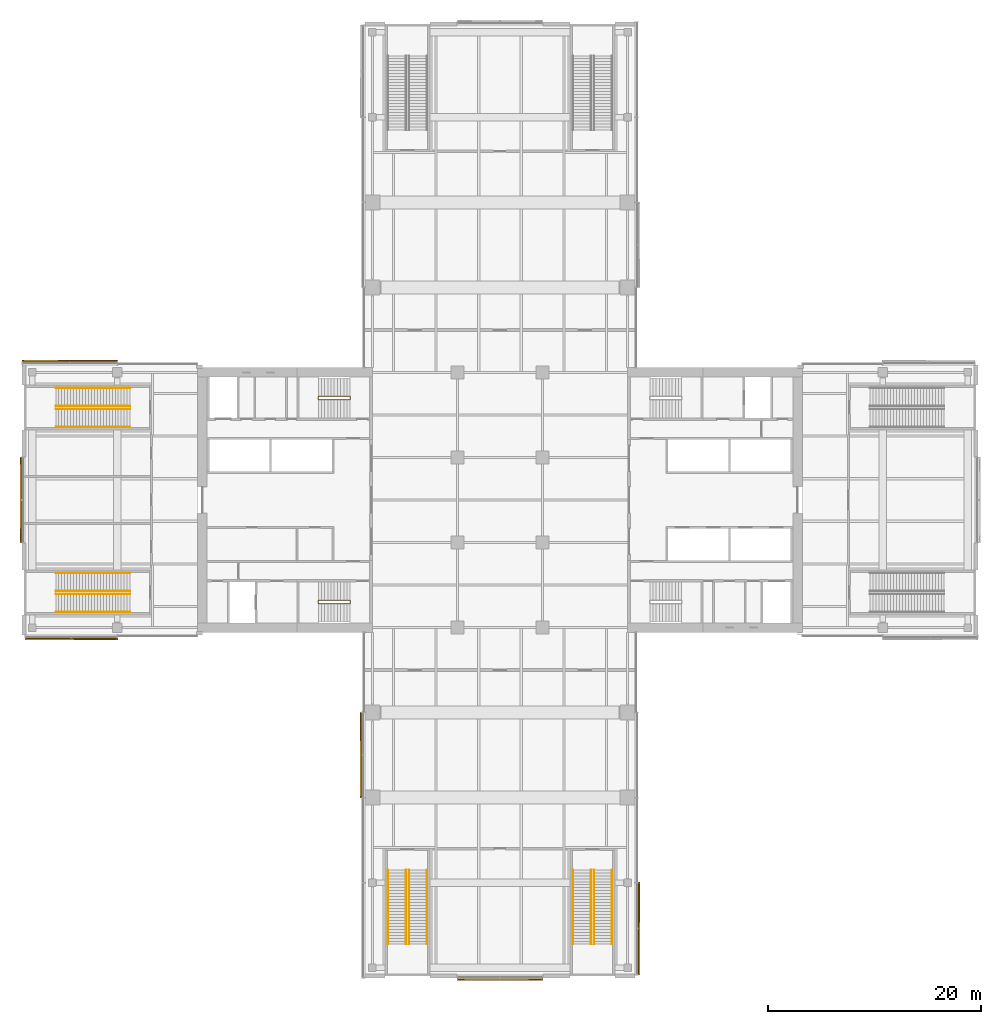
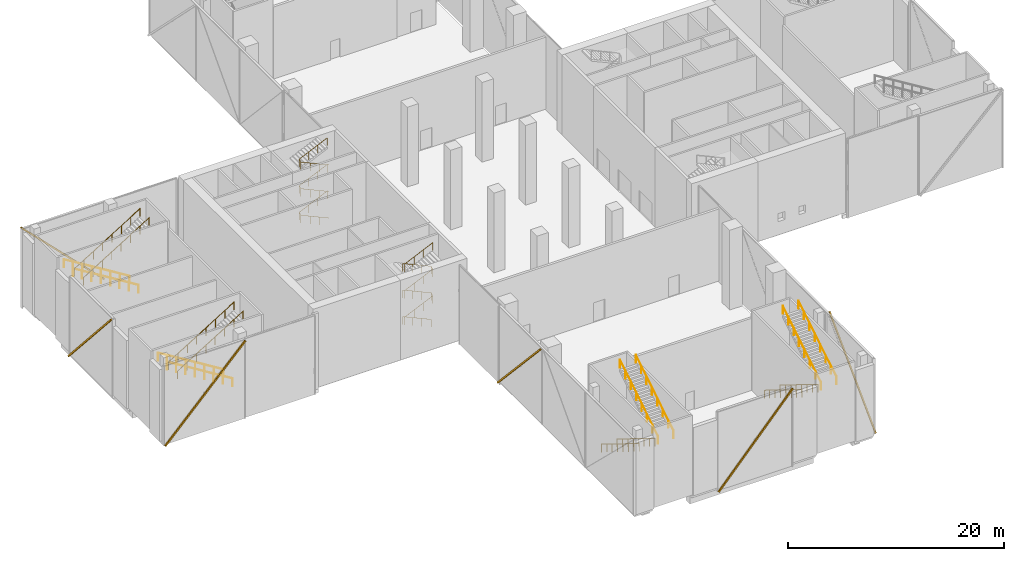
# One storey, part 25 of 26: 18 railings, 6 shading devices, 6 elements without a shape of their own.
"""IFC4 building model written with IfcOpenShell, lengths in metres."""

from ifc_helpers import new_model, si_unit, direction, frame, origin, origin_2d, place, context, subcontext, project, spatial, rectangle, circle, extrude, material, material_profile, profile_set, type_object, element, aggregate, save


model = new_model("IFC4")

# Units and contexts
model_context = context("Model", 3, precision=1e-05, world=origin(), true_north=direction((0.0, 1.0)))
body_context = subcontext(model_context, "Body", "Model", "MODEL_VIEW")
ifc_project = project(units=[si_unit("LENGTHUNIT", "METRE"), si_unit("AREAUNIT", "SQUARE_METRE"), si_unit("VOLUMEUNIT", "CUBIC_METRE"), si_unit("PLANEANGLEUNIT", "RADIAN"), si_unit("MASSUNIT", "GRAM", prefix="KILO")], contexts=[model_context])

# Site, building, storey
site_placement = place(None, origin())
site = spatial("IfcSite", under=ifc_project, at=site_placement, CompositionType="ELEMENT")
building_placement = place(site_placement, origin())
building = spatial("IfcBuilding", under=site, at=building_placement, Name="Crosswind Convention Tower", CompositionType="ELEMENT")
storey_placement = place(building_placement, frame((0.0, 0.0, 25.0)))
storey = spatial("IfcBuildingStorey", under=building, at=storey_placement, Name="L03", CompositionType="ELEMENT", Elevation=25.0)

# Railings
ifc_material_1 = material(Name="Stainless steel", Category="steel")
railing_type_1 = type_object("IfcRailingType", Name="STAIR HANDRAIL 900", PredefinedType="HANDRAIL", material=ifc_material_1)
for number, where, name in (
    (1, (114.4599609375, 65.199951171875, 0.173095703125), "Handrail S1 L03 1"),
    (2, (116.139892578125, 65.199951171875, 0.173095703125), "Handrail S1 L03 2"),
):
    element("IfcRailing", number, at=place(storey_placement, frame(where)), inside=storey, type_object=railing_type_1, Name=name, PredefinedType="HANDRAIL", context=body_context, shape_type="SweptSolid", body=[
        extrude(circle(Radius=0.02392578125, at=origin_2d()), frame((0.0, 0.0, 0.8759765625), z_axis=(0.0, -0.850614592968, 0.525789705328), x_axis=(1.0, 0.0, 0.0)), (0.0, 0.0, 1.0), 8.229248046875),
        extrude(circle(Radius=0.02099609375, at=origin_2d()), origin(), (0.0, 0.0, 1.0), 0.851806640625),
        extrude(circle(Radius=0.02099609375, at=origin_2d()), frame((0.0, -1.0, 0.6181640625)), (0.0, 0.0, 1.0), 0.851806640625),
        extrude(circle(Radius=0.02099609375, at=origin_2d()), frame((0.0, -2.0, 1.236328125)), (0.0, 0.0, 1.0), 0.851806640625),
        extrude(circle(Radius=0.02099609375, at=origin_2d()), frame((0.0, -3.0, 1.8544921875)), (0.0, 0.0, 1.0), 0.851806640625),
        extrude(circle(Radius=0.02099609375, at=origin_2d()), frame((0.0, -4.0, 2.472412109375)), (0.0, 0.0, 1.0), 0.851806640625),
        extrude(circle(Radius=0.02099609375, at=origin_2d()), frame((0.0, -5.0, 3.090576171875)), (0.0, 0.0, 1.0), 0.851806640625),
        extrude(circle(Radius=0.02099609375, at=origin_2d()), frame((0.0, -6.0, 3.708740234375)), (0.0, 0.0, 1.0), 0.851806640625),
        extrude(circle(Radius=0.02099609375, at=origin_2d()), frame((0.0, -7.0, 4.326904296875)), (0.0, 0.0, 1.0), 0.851806640625),
    ])
for number, where, name in (
    (3, (116.4599609375, 58.199951171875, 4.673095703125), "Handrail S1 L03 3"),
    (4, (118.139892578125, 58.199951171875, 4.673095703125), "Handrail S1 L03 4"),
):
    element("IfcRailing", number, at=place(storey_placement, frame(where)), inside=storey, type_object=railing_type_1, Name=name, PredefinedType="HANDRAIL", context=body_context, shape_type="SweptSolid", body=[
        extrude(circle(Radius=0.02392578125, at=origin_2d()), frame((0.0, 0.0, 0.8759765625), z_axis=(0.0, 0.850614592968, 0.525789705328), x_axis=(-1.0, 0.0, 0.0)), (0.0, 0.0, 1.0), 8.229248046875),
        extrude(circle(Radius=0.02099609375, at=origin_2d()), origin(), (0.0, 0.0, 1.0), 0.851806640625),
        extrude(circle(Radius=0.02099609375, at=origin_2d()), frame((0.0, 1.0, 0.6181640625)), (0.0, 0.0, 1.0), 0.851806640625),
        extrude(circle(Radius=0.02099609375, at=origin_2d()), frame((0.0, 2.0, 1.236328125)), (0.0, 0.0, 1.0), 0.851806640625),
        extrude(circle(Radius=0.02099609375, at=origin_2d()), frame((0.0, 3.0, 1.8544921875)), (0.0, 0.0, 1.0), 0.851806640625),
        extrude(circle(Radius=0.02099609375, at=origin_2d()), frame((0.0, 4.0, 2.472412109375)), (0.0, 0.0, 1.0), 0.851806640625),
        extrude(circle(Radius=0.02099609375, at=origin_2d()), frame((0.0, 5.0, 3.090576171875)), (0.0, 0.0, 1.0), 0.851806640625),
        extrude(circle(Radius=0.02099609375, at=origin_2d()), frame((0.0, 6.0, 3.708740234375)), (0.0, 0.0, 1.0), 0.851806640625),
        extrude(circle(Radius=0.02099609375, at=origin_2d()), frame((0.0, 7.0, 4.326904296875)), (0.0, 0.0, 1.0), 0.851806640625),
    ])
for number, where, name in (
    (5, (131.860107421875, 65.199951171875, 0.173095703125), "Handrail S2 L03 1"),
    (6, (133.5400390625, 65.199951171875, 0.173095703125), "Handrail S2 L03 2"),
):
    element("IfcRailing", number, at=place(storey_placement, frame(where)), inside=storey, type_object=railing_type_1, Name=name, PredefinedType="HANDRAIL", context=body_context, shape_type="SweptSolid", body=[
        extrude(circle(Radius=0.02392578125, at=origin_2d()), frame((0.0, 0.0, 0.8759765625), z_axis=(0.0, -0.850614592968, 0.525789705328), x_axis=(1.0, 0.0, 0.0)), (0.0, 0.0, 1.0), 8.229248046875),
        extrude(circle(Radius=0.02099609375, at=origin_2d()), origin(), (0.0, 0.0, 1.0), 0.851806640625),
        extrude(circle(Radius=0.02099609375, at=origin_2d()), frame((0.0, -1.0, 0.6181640625)), (0.0, 0.0, 1.0), 0.851806640625),
        extrude(circle(Radius=0.02099609375, at=origin_2d()), frame((0.0, -2.0, 1.236328125)), (0.0, 0.0, 1.0), 0.851806640625),
        extrude(circle(Radius=0.02099609375, at=origin_2d()), frame((0.0, -3.0, 1.8544921875)), (0.0, 0.0, 1.0), 0.851806640625),
        extrude(circle(Radius=0.02099609375, at=origin_2d()), frame((0.0, -4.0, 2.472412109375)), (0.0, 0.0, 1.0), 0.851806640625),
        extrude(circle(Radius=0.02099609375, at=origin_2d()), frame((0.0, -5.0, 3.090576171875)), (0.0, 0.0, 1.0), 0.851806640625),
        extrude(circle(Radius=0.02099609375, at=origin_2d()), frame((0.0, -6.0, 3.708740234375)), (0.0, 0.0, 1.0), 0.851806640625),
        extrude(circle(Radius=0.02099609375, at=origin_2d()), frame((0.0, -7.0, 4.326904296875)), (0.0, 0.0, 1.0), 0.851806640625),
    ])
for number, where, name in (
    (7, (133.860107421875, 58.199951171875, 4.673095703125), "Handrail S2 L03 3"),
    (8, (135.5400390625, 58.199951171875, 4.673095703125), "Handrail S2 L03 4"),
):
    element("IfcRailing", number, at=place(storey_placement, frame(where)), inside=storey, type_object=railing_type_1, Name=name, PredefinedType="HANDRAIL", context=body_context, shape_type="SweptSolid", body=[
        extrude(circle(Radius=0.02392578125, at=origin_2d()), frame((0.0, 0.0, 0.8759765625), z_axis=(0.0, 0.850614592968, 0.525789705328), x_axis=(-1.0, 0.0, 0.0)), (0.0, 0.0, 1.0), 8.229248046875),
        extrude(circle(Radius=0.02099609375, at=origin_2d()), origin(), (0.0, 0.0, 1.0), 0.851806640625),
        extrude(circle(Radius=0.02099609375, at=origin_2d()), frame((0.0, 1.0, 0.6181640625)), (0.0, 0.0, 1.0), 0.851806640625),
        extrude(circle(Radius=0.02099609375, at=origin_2d()), frame((0.0, 2.0, 1.236328125)), (0.0, 0.0, 1.0), 0.851806640625),
        extrude(circle(Radius=0.02099609375, at=origin_2d()), frame((0.0, 3.0, 1.8544921875)), (0.0, 0.0, 1.0), 0.851806640625),
        extrude(circle(Radius=0.02099609375, at=origin_2d()), frame((0.0, 4.0, 2.472412109375)), (0.0, 0.0, 1.0), 0.851806640625),
        extrude(circle(Radius=0.02099609375, at=origin_2d()), frame((0.0, 5.0, 3.090576171875)), (0.0, 0.0, 1.0), 0.851806640625),
        extrude(circle(Radius=0.02099609375, at=origin_2d()), frame((0.0, 6.0, 3.708740234375)), (0.0, 0.0, 1.0), 0.851806640625),
        extrude(circle(Radius=0.02099609375, at=origin_2d()), frame((0.0, 7.0, 4.326904296875)), (0.0, 0.0, 1.0), 0.851806640625),
    ])
for number, where, name in (
    (9, (90.199951171875, 93.139892578125, 0.173095703125), "Handrail W1 L03 1"),
    (10, (90.199951171875, 91.4599609375, 0.173095703125), "Handrail W1 L03 2"),
):
    element("IfcRailing", number, at=place(storey_placement, frame(where)), inside=storey, type_object=railing_type_1, Name=name, PredefinedType="HANDRAIL", context=body_context, shape_type="SweptSolid", body=[
        extrude(circle(Radius=0.02392578125, at=origin_2d()), frame((0.0, 0.0, 0.8759765625), z_axis=(-0.850614592968, 0.0, 0.525789705328), x_axis=(0.0, -1.0, 0.0)), (0.0, 0.0, 1.0), 8.229248046875),
        extrude(circle(Radius=0.02099609375, at=origin_2d()), origin(), (0.0, 0.0, 1.0), 0.851806640625),
        extrude(circle(Radius=0.02099609375, at=origin_2d()), frame((-1.0, 0.0, 0.6181640625)), (0.0, 0.0, 1.0), 0.851806640625),
        extrude(circle(Radius=0.02099609375, at=origin_2d()), frame((-2.0, 0.0, 1.236328125)), (0.0, 0.0, 1.0), 0.851806640625),
        extrude(circle(Radius=0.02099609375, at=origin_2d()), frame((-3.0, 0.0, 1.8544921875)), (0.0, 0.0, 1.0), 0.851806640625),
        extrude(circle(Radius=0.02099609375, at=origin_2d()), frame((-4.0, 0.0, 2.472412109375)), (0.0, 0.0, 1.0), 0.851806640625),
        extrude(circle(Radius=0.02099609375, at=origin_2d()), frame((-5.0, 0.0, 3.090576171875)), (0.0, 0.0, 1.0), 0.851806640625),
        extrude(circle(Radius=0.02099609375, at=origin_2d()), frame((-6.0, 0.0, 3.708740234375)), (0.0, 0.0, 1.0), 0.851806640625),
        extrude(circle(Radius=0.02099609375, at=origin_2d()), frame((-7.0, 0.0, 4.326904296875)), (0.0, 0.0, 1.0), 0.851806640625),
    ])
for number, where, name in (
    (11, (83.199951171875, 91.139892578125, 4.673095703125), "Handrail W1 L03 3"),
    (12, (83.199951171875, 89.4599609375, 4.673095703125), "Handrail W1 L03 4"),
):
    element("IfcRailing", number, at=place(storey_placement, frame(where)), inside=storey, type_object=railing_type_1, Name=name, PredefinedType="HANDRAIL", context=body_context, shape_type="SweptSolid", body=[
        extrude(circle(Radius=0.02392578125, at=origin_2d()), frame((0.0, 0.0, 0.8759765625), z_axis=(0.850614592968, 0.0, 0.525789705328), x_axis=(0.0, 1.0, 0.0)), (0.0, 0.0, 1.0), 8.229248046875),
        extrude(circle(Radius=0.02099609375, at=origin_2d()), origin(), (0.0, 0.0, 1.0), 0.851806640625),
        extrude(circle(Radius=0.02099609375, at=origin_2d()), frame((1.0, 0.0, 0.6181640625)), (0.0, 0.0, 1.0), 0.851806640625),
        extrude(circle(Radius=0.02099609375, at=origin_2d()), frame((2.0, 0.0, 1.236328125)), (0.0, 0.0, 1.0), 0.851806640625),
        extrude(circle(Radius=0.02099609375, at=origin_2d()), frame((3.0, 0.0, 1.8544921875)), (0.0, 0.0, 1.0), 0.851806640625),
        extrude(circle(Radius=0.02099609375, at=origin_2d()), frame((4.0, 0.0, 2.472412109375)), (0.0, 0.0, 1.0), 0.851806640625),
        extrude(circle(Radius=0.02099609375, at=origin_2d()), frame((5.0, 0.0, 3.090576171875)), (0.0, 0.0, 1.0), 0.851806640625),
        extrude(circle(Radius=0.02099609375, at=origin_2d()), frame((6.0, 0.0, 3.708740234375)), (0.0, 0.0, 1.0), 0.851806640625),
        extrude(circle(Radius=0.02099609375, at=origin_2d()), frame((7.0, 0.0, 4.326904296875)), (0.0, 0.0, 1.0), 0.851806640625),
    ])
for number, where, name in (
    (13, (90.199951171875, 110.5400390625, 0.173095703125), "Handrail W2 L03 1"),
    (14, (90.199951171875, 108.860107421875, 0.173095703125), "Handrail W2 L03 2"),
):
    element("IfcRailing", number, at=place(storey_placement, frame(where)), inside=storey, type_object=railing_type_1, Name=name, PredefinedType="HANDRAIL", context=body_context, shape_type="SweptSolid", body=[
        extrude(circle(Radius=0.02392578125, at=origin_2d()), frame((0.0, 0.0, 0.8759765625), z_axis=(-0.850614592968, 0.0, 0.525789705328), x_axis=(0.0, -1.0, 0.0)), (0.0, 0.0, 1.0), 8.229248046875),
        extrude(circle(Radius=0.02099609375, at=origin_2d()), origin(), (0.0, 0.0, 1.0), 0.851806640625),
        extrude(circle(Radius=0.02099609375, at=origin_2d()), frame((-1.0, 0.0, 0.6181640625)), (0.0, 0.0, 1.0), 0.851806640625),
        extrude(circle(Radius=0.02099609375, at=origin_2d()), frame((-2.0, 0.0, 1.236328125)), (0.0, 0.0, 1.0), 0.851806640625),
        extrude(circle(Radius=0.02099609375, at=origin_2d()), frame((-3.0, 0.0, 1.8544921875)), (0.0, 0.0, 1.0), 0.851806640625),
        extrude(circle(Radius=0.02099609375, at=origin_2d()), frame((-4.0, 0.0, 2.472412109375)), (0.0, 0.0, 1.0), 0.851806640625),
        extrude(circle(Radius=0.02099609375, at=origin_2d()), frame((-5.0, 0.0, 3.090576171875)), (0.0, 0.0, 1.0), 0.851806640625),
        extrude(circle(Radius=0.02099609375, at=origin_2d()), frame((-6.0, 0.0, 3.708740234375)), (0.0, 0.0, 1.0), 0.851806640625),
        extrude(circle(Radius=0.02099609375, at=origin_2d()), frame((-7.0, 0.0, 4.326904296875)), (0.0, 0.0, 1.0), 0.851806640625),
    ])
for number, where, name in (
    (15, (83.199951171875, 108.5400390625, 4.673095703125), "Handrail W2 L03 3"),
    (16, (83.199951171875, 106.860107421875, 4.673095703125), "Handrail W2 L03 4"),
):
    element("IfcRailing", number, at=place(storey_placement, frame(where)), inside=storey, type_object=railing_type_1, Name=name, PredefinedType="HANDRAIL", context=body_context, shape_type="SweptSolid", body=[
        extrude(circle(Radius=0.02392578125, at=origin_2d()), frame((0.0, 0.0, 0.8759765625), z_axis=(0.850614592968, 0.0, 0.525789705328), x_axis=(0.0, 1.0, 0.0)), (0.0, 0.0, 1.0), 8.229248046875),
        extrude(circle(Radius=0.02099609375, at=origin_2d()), origin(), (0.0, 0.0, 1.0), 0.851806640625),
        extrude(circle(Radius=0.02099609375, at=origin_2d()), frame((1.0, 0.0, 0.6181640625)), (0.0, 0.0, 1.0), 0.851806640625),
        extrude(circle(Radius=0.02099609375, at=origin_2d()), frame((2.0, 0.0, 1.236328125)), (0.0, 0.0, 1.0), 0.851806640625),
        extrude(circle(Radius=0.02099609375, at=origin_2d()), frame((3.0, 0.0, 1.8544921875)), (0.0, 0.0, 1.0), 0.851806640625),
        extrude(circle(Radius=0.02099609375, at=origin_2d()), frame((4.0, 0.0, 2.472412109375)), (0.0, 0.0, 1.0), 0.851806640625),
        extrude(circle(Radius=0.02099609375, at=origin_2d()), frame((5.0, 0.0, 3.090576171875)), (0.0, 0.0, 1.0), 0.851806640625),
        extrude(circle(Radius=0.02099609375, at=origin_2d()), frame((6.0, 0.0, 3.708740234375)), (0.0, 0.0, 1.0), 0.851806640625),
        extrude(circle(Radius=0.02099609375, at=origin_2d()), frame((7.0, 0.0, 4.326904296875)), (0.0, 0.0, 1.0), 0.851806640625),
    ])
railing_type_2 = type_object("IfcRailingType", Name="Stair handrail 900", PredefinedType="HANDRAIL", material=ifc_material_1)
railing_1_placement = place(storey_placement, frame((110.89990234375, 90.56005859375, 0.136474609375)))
element("IfcRailing", 17, at=railing_1_placement, inside=storey, type_object=railing_type_2, Name="Stair ST3 handrail L03", PredefinedType="HANDRAIL", context=body_context, shape_type="SweptSolid", body=[
    extrude(circle(Radius=0.02392578125, at=origin_2d()), frame((0.0, 0.0, 0.8759765625), z_axis=(-0.910379163139, 0.0, 0.413775034678), x_axis=(0.0, -1.0, 0.0)), (0.0, 0.0, 1.0), 3.29541015625),
    extrude(circle(Radius=0.02392578125, at=origin_2d()), frame((-3.0, 0.0, 2.2392578125), z_axis=(0.0, -0.919869319323, 0.39222498055), x_axis=(1.0, 0.0, 0.0)), (0.0, 0.0, 1.0), 0.347900390625),
    extrude(circle(Radius=0.02392578125, at=origin_2d()), frame((-3.0, -0.320068359375, 2.3759765625), z_axis=(0.910379163139, 0.0, 0.413775034678), x_axis=(0.0, 1.0, 0.0)), (0.0, 0.0, 1.0), 3.29541015625),
    extrude(circle(Radius=0.02392578125, at=origin_2d()), frame((0.0, -0.320068359375, 3.7392578125), z_axis=(0.0, 0.919869319323, 0.39222498055), x_axis=(-1.0, 0.0, 0.0)), (0.0, 0.0, 1.0), 0.347900390625),
    extrude(circle(Radius=0.02392578125, at=origin_2d()), frame((0.0, 0.0, 3.8759765625), z_axis=(-0.910379163139, 0.0, 0.413775034678), x_axis=(0.0, -1.0, 0.0)), (0.0, 0.0, 1.0), 3.29541015625),
    extrude(circle(Radius=0.02392578125, at=origin_2d()), frame((-3.0, 0.0, 5.2392578125), z_axis=(0.0, -0.919869319323, 0.39222498055), x_axis=(1.0, 0.0, 0.0)), (0.0, 0.0, 1.0), 0.347900390625),
    extrude(circle(Radius=0.02392578125, at=origin_2d()), frame((-3.0, -0.320068359375, 5.3759765625), z_axis=(0.910379163139, 0.0, 0.413775034678), x_axis=(0.0, 1.0, 0.0)), (0.0, 0.0, 1.0), 3.29541015625),
    extrude(circle(Radius=0.02392578125, at=origin_2d()), frame((0.0, -0.320068359375, 6.7392578125), z_axis=(0.0, 0.919869319323, 0.39222498055), x_axis=(-1.0, 0.0, 0.0)), (0.0, 0.0, 1.0), 0.347900390625),
    extrude(circle(Radius=0.02392578125, at=origin_2d()), frame((0.0, 0.0, 6.8759765625), z_axis=(-0.910379163139, 0.0, 0.413775034678), x_axis=(0.0, -1.0, 0.0)), (0.0, 0.0, 1.0), 3.29541015625),
    extrude(circle(Radius=0.02392578125, at=origin_2d()), frame((-3.0, 0.0, 8.2392578125), z_axis=(0.0, -0.919869319323, 0.39222498055), x_axis=(1.0, 0.0, 0.0)), (0.0, 0.0, 1.0), 0.347900390625),
    extrude(circle(Radius=0.02392578125, at=origin_2d()), frame((-3.0, -0.320068359375, 8.3759765625), z_axis=(0.910379163139, 0.0, 0.413775034678), x_axis=(0.0, 1.0, 0.0)), (0.0, 0.0, 1.0), 3.29541015625),
    extrude(circle(Radius=0.02099609375, at=origin_2d()), origin(), (0.0, 0.0, 1.0), 0.851806640625),
    extrude(circle(Radius=0.02099609375, at=origin_2d()), frame((-1.0, 0.0, 0.45458984375)), (0.0, 0.0, 1.0), 0.851806640625),
    extrude(circle(Radius=0.02099609375, at=origin_2d()), frame((-2.0, 0.0, 0.908935546875)), (0.0, 0.0, 1.0), 0.851806640625),
    extrude(circle(Radius=0.02099609375, at=origin_2d()), frame((-3.0, 0.0, 1.363525390625)), (0.0, 0.0, 1.0), 0.851806640625),
    extrude(circle(Radius=0.02099609375, at=origin_2d()), frame((-3.0, -0.320068359375, 1.5)), (0.0, 0.0, 1.0), 0.851806640625),
    extrude(circle(Radius=0.02099609375, at=origin_2d()), frame((-2.0, -0.320068359375, 1.95458984375)), (0.0, 0.0, 1.0), 0.851806640625),
    extrude(circle(Radius=0.02099609375, at=origin_2d()), frame((-1.0, -0.320068359375, 2.408935546875)), (0.0, 0.0, 1.0), 0.851806640625),
    extrude(circle(Radius=0.02099609375, at=origin_2d()), frame((0.0, -0.320068359375, 2.863525390625)), (0.0, 0.0, 1.0), 0.851806640625),
    extrude(circle(Radius=0.02099609375, at=origin_2d()), frame((0.0, 0.0, 3.0)), (0.0, 0.0, 1.0), 0.851806640625),
    extrude(circle(Radius=0.02099609375, at=origin_2d()), frame((-1.0, 0.0, 3.45458984375)), (0.0, 0.0, 1.0), 0.851806640625),
    extrude(circle(Radius=0.02099609375, at=origin_2d()), frame((-2.0, 0.0, 3.908935546875)), (0.0, 0.0, 1.0), 0.851806640625),
    extrude(circle(Radius=0.02099609375, at=origin_2d()), frame((-3.0, 0.0, 4.363525390625)), (0.0, 0.0, 1.0), 0.851806640625),
    extrude(circle(Radius=0.02099609375, at=origin_2d()), frame((-3.0, -0.320068359375, 4.5)), (0.0, 0.0, 1.0), 0.851806640625),
    extrude(circle(Radius=0.02099609375, at=origin_2d()), frame((-2.0, -0.320068359375, 4.95458984375)), (0.0, 0.0, 1.0), 0.851806640625),
    extrude(circle(Radius=0.02099609375, at=origin_2d()), frame((-1.0, -0.320068359375, 5.408935546875)), (0.0, 0.0, 1.0), 0.851806640625),
    extrude(circle(Radius=0.02099609375, at=origin_2d()), frame((0.0, -0.320068359375, 5.863525390625)), (0.0, 0.0, 1.0), 0.851806640625),
    extrude(circle(Radius=0.02099609375, at=origin_2d()), frame((0.0, 0.0, 6.0)), (0.0, 0.0, 1.0), 0.851806640625),
    extrude(circle(Radius=0.02099609375, at=origin_2d()), frame((-1.0, 0.0, 6.45458984375)), (0.0, 0.0, 1.0), 0.851806640625),
    extrude(circle(Radius=0.02099609375, at=origin_2d()), frame((-2.0, 0.0, 6.908935546875)), (0.0, 0.0, 1.0), 0.851806640625),
    extrude(circle(Radius=0.02099609375, at=origin_2d()), frame((-3.0, 0.0, 7.363525390625)), (0.0, 0.0, 1.0), 0.851806640625),
    extrude(circle(Radius=0.02099609375, at=origin_2d()), frame((-3.0, -0.320068359375, 7.5)), (0.0, 0.0, 1.0), 0.851806640625),
    extrude(circle(Radius=0.02099609375, at=origin_2d()), frame((-2.0, -0.320068359375, 7.95458984375)), (0.0, 0.0, 1.0), 0.851806640625),
    extrude(circle(Radius=0.02099609375, at=origin_2d()), frame((-1.0, -0.320068359375, 8.408935546875)), (0.0, 0.0, 1.0), 0.851806640625),
    extrude(circle(Radius=0.02099609375, at=origin_2d()), frame((0.0, -0.320068359375, 8.863525390625)), (0.0, 0.0, 1.0), 0.851806640625),
])
railing_2_placement = place(storey_placement, frame((110.89990234375, 109.43994140625, 0.136474609375)))
element("IfcRailing", 18, at=railing_2_placement, inside=storey, type_object=railing_type_2, Name="Stair ST4 handrail L03", PredefinedType="HANDRAIL", context=body_context, shape_type="SweptSolid", body=[
    extrude(circle(Radius=0.02392578125, at=origin_2d()), frame((0.0, 0.0, 0.8759765625), z_axis=(-0.910379163139, 0.0, 0.413775034678), x_axis=(0.0, -1.0, 0.0)), (0.0, 0.0, 1.0), 3.29541015625),
    extrude(circle(Radius=0.02392578125, at=origin_2d()), frame((-3.0, 0.0, 2.2392578125), z_axis=(0.0, 0.919869319323, 0.39222498055), x_axis=(-1.0, 0.0, 0.0)), (0.0, 0.0, 1.0), 0.347900390625),
    extrude(circle(Radius=0.02392578125, at=origin_2d()), frame((-3.0, 0.320068359375, 2.3759765625), z_axis=(0.910379163139, 0.0, 0.413775034678), x_axis=(0.0, 1.0, 0.0)), (0.0, 0.0, 1.0), 3.29541015625),
    extrude(circle(Radius=0.02392578125, at=origin_2d()), frame((0.0, 0.320068359375, 3.7392578125), z_axis=(0.0, -0.919869319323, 0.39222498055), x_axis=(1.0, 0.0, 0.0)), (0.0, 0.0, 1.0), 0.347900390625),
    extrude(circle(Radius=0.02392578125, at=origin_2d()), frame((0.0, 0.0, 3.8759765625), z_axis=(-0.910379163139, 0.0, 0.413775034678), x_axis=(0.0, -1.0, 0.0)), (0.0, 0.0, 1.0), 3.29541015625),
    extrude(circle(Radius=0.02392578125, at=origin_2d()), frame((-3.0, 0.0, 5.2392578125), z_axis=(0.0, 0.919869319323, 0.39222498055), x_axis=(-1.0, 0.0, 0.0)), (0.0, 0.0, 1.0), 0.347900390625),
    extrude(circle(Radius=0.02392578125, at=origin_2d()), frame((-3.0, 0.320068359375, 5.3759765625), z_axis=(0.910379163139, 0.0, 0.413775034678), x_axis=(0.0, 1.0, 0.0)), (0.0, 0.0, 1.0), 3.29541015625),
    extrude(circle(Radius=0.02392578125, at=origin_2d()), frame((0.0, 0.320068359375, 6.7392578125), z_axis=(0.0, -0.919869319323, 0.39222498055), x_axis=(1.0, 0.0, 0.0)), (0.0, 0.0, 1.0), 0.347900390625),
    extrude(circle(Radius=0.02392578125, at=origin_2d()), frame((0.0, 0.0, 6.8759765625), z_axis=(-0.910379163139, 0.0, 0.413775034678), x_axis=(0.0, -1.0, 0.0)), (0.0, 0.0, 1.0), 3.29541015625),
    extrude(circle(Radius=0.02392578125, at=origin_2d()), frame((-3.0, 0.0, 8.2392578125), z_axis=(0.0, 0.919869319323, 0.39222498055), x_axis=(-1.0, 0.0, 0.0)), (0.0, 0.0, 1.0), 0.347900390625),
    extrude(circle(Radius=0.02392578125, at=origin_2d()), frame((-3.0, 0.320068359375, 8.3759765625), z_axis=(0.910379163139, 0.0, 0.413775034678), x_axis=(0.0, 1.0, 0.0)), (0.0, 0.0, 1.0), 3.29541015625),
    extrude(circle(Radius=0.02099609375, at=origin_2d()), origin(), (0.0, 0.0, 1.0), 0.851806640625),
    extrude(circle(Radius=0.02099609375, at=origin_2d()), frame((-1.0, 0.0, 0.45458984375)), (0.0, 0.0, 1.0), 0.851806640625),
    extrude(circle(Radius=0.02099609375, at=origin_2d()), frame((-2.0, 0.0, 0.908935546875)), (0.0, 0.0, 1.0), 0.851806640625),
    extrude(circle(Radius=0.02099609375, at=origin_2d()), frame((-3.0, 0.0, 1.363525390625)), (0.0, 0.0, 1.0), 0.851806640625),
    extrude(circle(Radius=0.02099609375, at=origin_2d()), frame((-3.0, 0.320068359375, 1.5)), (0.0, 0.0, 1.0), 0.851806640625),
    extrude(circle(Radius=0.02099609375, at=origin_2d()), frame((-2.0, 0.320068359375, 1.95458984375)), (0.0, 0.0, 1.0), 0.851806640625),
    extrude(circle(Radius=0.02099609375, at=origin_2d()), frame((-1.0, 0.320068359375, 2.408935546875)), (0.0, 0.0, 1.0), 0.851806640625),
    extrude(circle(Radius=0.02099609375, at=origin_2d()), frame((0.0, 0.320068359375, 2.863525390625)), (0.0, 0.0, 1.0), 0.851806640625),
    extrude(circle(Radius=0.02099609375, at=origin_2d()), frame((0.0, 0.0, 3.0)), (0.0, 0.0, 1.0), 0.851806640625),
    extrude(circle(Radius=0.02099609375, at=origin_2d()), frame((-1.0, 0.0, 3.45458984375)), (0.0, 0.0, 1.0), 0.851806640625),
    extrude(circle(Radius=0.02099609375, at=origin_2d()), frame((-2.0, 0.0, 3.908935546875)), (0.0, 0.0, 1.0), 0.851806640625),
    extrude(circle(Radius=0.02099609375, at=origin_2d()), frame((-3.0, 0.0, 4.363525390625)), (0.0, 0.0, 1.0), 0.851806640625),
    extrude(circle(Radius=0.02099609375, at=origin_2d()), frame((-3.0, 0.320068359375, 4.5)), (0.0, 0.0, 1.0), 0.851806640625),
    extrude(circle(Radius=0.02099609375, at=origin_2d()), frame((-2.0, 0.320068359375, 4.95458984375)), (0.0, 0.0, 1.0), 0.851806640625),
    extrude(circle(Radius=0.02099609375, at=origin_2d()), frame((-1.0, 0.320068359375, 5.408935546875)), (0.0, 0.0, 1.0), 0.851806640625),
    extrude(circle(Radius=0.02099609375, at=origin_2d()), frame((0.0, 0.320068359375, 5.863525390625)), (0.0, 0.0, 1.0), 0.851806640625),
    extrude(circle(Radius=0.02099609375, at=origin_2d()), frame((0.0, 0.0, 6.0)), (0.0, 0.0, 1.0), 0.851806640625),
    extrude(circle(Radius=0.02099609375, at=origin_2d()), frame((-1.0, 0.0, 6.45458984375)), (0.0, 0.0, 1.0), 0.851806640625),
    extrude(circle(Radius=0.02099609375, at=origin_2d()), frame((-2.0, 0.0, 6.908935546875)), (0.0, 0.0, 1.0), 0.851806640625),
    extrude(circle(Radius=0.02099609375, at=origin_2d()), frame((-3.0, 0.0, 7.363525390625)), (0.0, 0.0, 1.0), 0.851806640625),
    extrude(circle(Radius=0.02099609375, at=origin_2d()), frame((-3.0, 0.320068359375, 7.5)), (0.0, 0.0, 1.0), 0.851806640625),
    extrude(circle(Radius=0.02099609375, at=origin_2d()), frame((-2.0, 0.320068359375, 7.95458984375)), (0.0, 0.0, 1.0), 0.851806640625),
    extrude(circle(Radius=0.02099609375, at=origin_2d()), frame((-1.0, 0.320068359375, 8.408935546875)), (0.0, 0.0, 1.0), 0.851806640625),
    extrude(circle(Radius=0.02099609375, at=origin_2d()), frame((0.0, 0.320068359375, 8.863525390625)), (0.0, 0.0, 1.0), 0.851806640625),
])

# Curtain wall, shading device
ifc_material_2 = material(Name="Aluminium unitised curtain wall", Category="aluminium")
curtain_wall_type = type_object("IfcCurtainWallType", Name="PODIUM UNITISED WALL 300", PredefinedType="USERDEFINED", material=ifc_material_2)
curtain_wall_1_placement = place(storey_placement, origin())
curtain_wall_1 = element("IfcCurtainWall", 19, at=curtain_wall_1_placement, inside=storey, type_object=curtain_wall_type, Name="CW1 L03 W-N 2", ObjectType="UNITISED", PredefinedType="USERDEFINED")
ifc_material_3 = material(Name="Extruded terracotta", Category="masonry")
ifc_material_profile = material_profile(ifc_material_3, rectangle(XDim=0.139892578125, YDim=0.159912109375, at=origin_2d()), Name="TC 140X160")
ifc_profile_set = profile_set([ifc_material_profile], Name="Extruded terracotta")
shading_device_type = type_object("IfcShadingDeviceType", Name="TERRACOTTA BAGUETTE 160X140", PredefinedType="USERDEFINED", material=ifc_profile_set)
shading_device_1_placement = place(storey_placement, frame((88.9599609375, 113.093994140625, -0.39990234375), z_axis=(-0.704919402613, 0.0, 0.709287414113), x_axis=(0.0, -1.0, 0.0)))
shading_device_1 = element("IfcShadingDevice", 20, at=shading_device_1_placement, type_object=shading_device_type, Name="CW1 terracotta baguette 1", ObjectType="BAGUETTE", PredefinedType="USERDEFINED", context=body_context, shape_type="SweptSolid", body=[
    extrude(rectangle(XDim=0.139892578125, YDim=0.159912109375, at=origin_2d()), origin(), (0.0, 0.0, 1.0), 12.575927734375),
])
aggregate(curtain_wall_1, [shading_device_1])

curtain_wall_2_placement = place(storey_placement, origin())
curtain_wall_2 = element("IfcCurtainWall", 21, at=curtain_wall_2_placement, inside=storey, type_object=curtain_wall_type, Name="CW1 L03 W-TIP 1", ObjectType="UNITISED", PredefinedType="USERDEFINED")
shading_device_2_placement = place(storey_placement, frame((79.906005859375, 103.9599609375, -0.39990234375), z_axis=(0.0, -0.663947057218, 0.747779583308), x_axis=(1.0, 0.0, 0.0)))
shading_device_2 = element("IfcShadingDevice", 22, at=shading_device_2_placement, type_object=shading_device_type, Name="CW1 terracotta baguette 1", ObjectType="BAGUETTE", PredefinedType="USERDEFINED", context=body_context, shape_type="SweptSolid", body=[
    extrude(rectangle(XDim=0.139892578125, YDim=0.159912109375, at=origin_2d()), origin(), (0.0, 0.0, 1.0), 11.928466796875),
])
aggregate(curtain_wall_2, [shading_device_2])

curtain_wall_3_placement = place(storey_placement, origin())
curtain_wall_3 = element("IfcCurtainWall", 23, at=curtain_wall_3_placement, inside=storey, type_object=curtain_wall_type, Name="CW1 L03 W-S 1", ObjectType="UNITISED", PredefinedType="USERDEFINED")
shading_device_3_placement = place(storey_placement, frame((80.3798828125, 86.906005859375, -0.39990234375), z_axis=(0.693244313332, 0.0, 0.720702658545), x_axis=(0.0, 1.0, 0.0)))
shading_device_3 = element("IfcShadingDevice", 24, at=shading_device_3_placement, type_object=shading_device_type, Name="CW1 terracotta baguette 1", ObjectType="BAGUETTE", PredefinedType="USERDEFINED", context=body_context, shape_type="SweptSolid", body=[
    extrude(rectangle(XDim=0.139892578125, YDim=0.159912109375, at=origin_2d()), origin(), (0.0, 0.0, 1.0), 12.376708984375),
])
aggregate(curtain_wall_3, [shading_device_3])

curtain_wall_4_placement = place(storey_placement, origin())
curtain_wall_4 = element("IfcCurtainWall", 25, at=curtain_wall_4_placement, inside=storey, type_object=curtain_wall_type, Name="CW1 L03 S-W 1", ObjectType="UNITISED", PredefinedType="USERDEFINED")
shading_device_4_placement = place(storey_placement, frame((111.906005859375, 79.9599609375, -0.044921875), z_axis=(0.0, -0.678919601601, 0.734212622175), x_axis=(1.0, 0.0, 0.0)))
shading_device_4 = element("IfcShadingDevice", 26, at=shading_device_4_placement, type_object=shading_device_type, Name="CW1 terracotta baguette 1", ObjectType="BAGUETTE", PredefinedType="USERDEFINED", context=body_context, shape_type="SweptSolid", body=[
    extrude(rectangle(XDim=0.139892578125, YDim=0.159912109375, at=origin_2d()), origin(), (0.0, 0.0, 1.0), 11.66552734375),
])
aggregate(curtain_wall_4, [shading_device_4])

curtain_wall_5_placement = place(storey_placement, origin())
curtain_wall_5 = element("IfcCurtainWall", 27, at=curtain_wall_5_placement, inside=storey, type_object=curtain_wall_type, Name="CW1 L03 S-TIP 1", ObjectType="UNITISED", PredefinedType="USERDEFINED")
shading_device_5_placement = place(storey_placement, frame((121.0400390625, 54.906005859375, -0.39990234375), z_axis=(0.663947057218, 0.0, 0.747779583308), x_axis=(0.0, 1.0, 0.0)))
shading_device_5 = element("IfcShadingDevice", 28, at=shading_device_5_placement, type_object=shading_device_type, Name="CW1 terracotta baguette 1", ObjectType="BAGUETTE", PredefinedType="USERDEFINED", context=body_context, shape_type="SweptSolid", body=[
    extrude(rectangle(XDim=0.139892578125, YDim=0.159912109375, at=origin_2d()), origin(), (0.0, 0.0, 1.0), 11.928466796875),
])
aggregate(curtain_wall_5, [shading_device_5])

curtain_wall_6_placement = place(storey_placement, origin())
curtain_wall_6 = element("IfcCurtainWall", 29, at=curtain_wall_6_placement, inside=storey, type_object=curtain_wall_type, Name="CW1 L03 S-E 1", ObjectType="UNITISED", PredefinedType="USERDEFINED")
shading_device_6_placement = place(storey_placement, frame((138.093994140625, 55.3798828125, -0.044921875), z_axis=(0.0, 0.707730784415, 0.706482226805), x_axis=(-1.0, 0.0, 0.0)))
shading_device_6 = element("IfcShadingDevice", 30, at=shading_device_6_placement, type_object=shading_device_type, Name="CW1 terracotta baguette 1", ObjectType="BAGUETTE", PredefinedType="USERDEFINED", context=body_context, shape_type="SweptSolid", body=[
    extrude(rectangle(XDim=0.139892578125, YDim=0.159912109375, at=origin_2d()), origin(), (0.0, 0.0, 1.0), 12.123291015625),
])
aggregate(curtain_wall_6, [shading_device_6])

save(model, "model.ifc")
